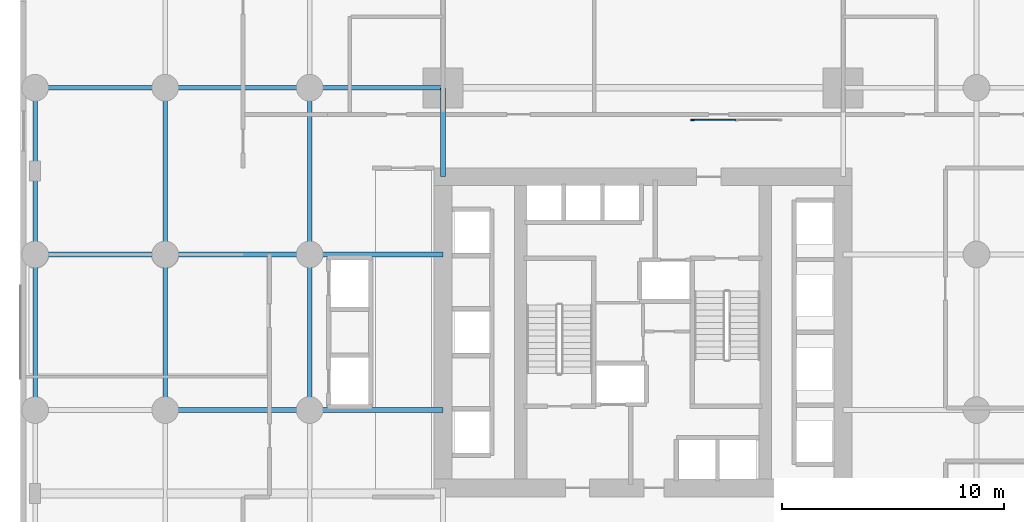
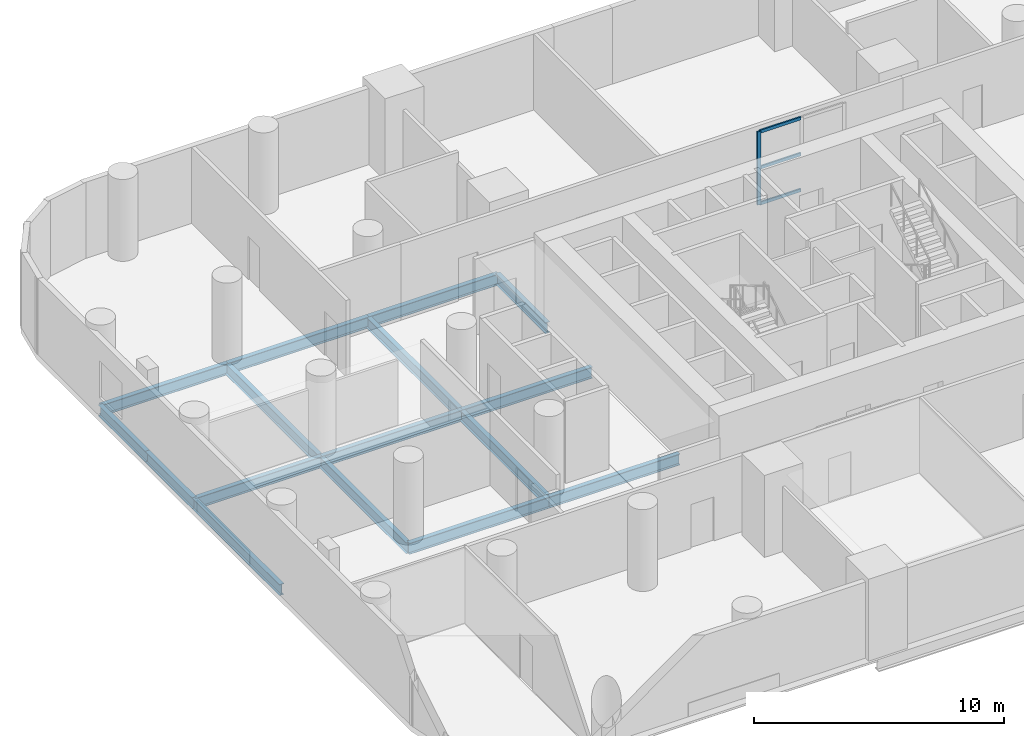
# One storey, part 3 of 12: 16 beams, 4 members, 1 element without a shape of its own.
"""IFC4 building model written with IfcOpenShell, lengths in metres."""

from ifc_helpers import new_model, si_unit, direction, frame, origin, origin_2d, place, context, subcontext, project, spatial, rectangle, i_section, extrude, material, material_profile, profile_set, type_object, element, aggregate, save


model = new_model("IFC4")

# Units and contexts
model_context = context("Model", 3, precision=1e-05, world=origin(), true_north=direction((0.0, 1.0)))
body_context = subcontext(model_context, "Body", "Model", "MODEL_VIEW")
ifc_project = project(units=[si_unit("LENGTHUNIT", "METRE"), si_unit("AREAUNIT", "SQUARE_METRE"), si_unit("VOLUMEUNIT", "CUBIC_METRE"), si_unit("PLANEANGLEUNIT", "RADIAN"), si_unit("MASSUNIT", "GRAM", prefix="KILO")], contexts=[model_context])

# Site, building, storey
site_placement = place(None, origin())
site = spatial("IfcSite", under=ifc_project, at=site_placement, CompositionType="ELEMENT")
building_placement = place(site_placement, origin())
building = spatial("IfcBuilding", under=site, at=building_placement, Name="Veldorim Arch Residences", CompositionType="ELEMENT")
storey_placement = place(building_placement, frame((0.0, 0.0, 12.0)))
storey = spatial("IfcBuildingStorey", under=building, at=storey_placement, Name="L03", CompositionType="ELEMENT", Elevation=12.0)

# Curtain wall, members
ifc_material_1 = material(Name="Aluminium", Category="aluminium")
curtain_wall_type = type_object("IfcCurtainWallType", Name="Crown Faceted Fritted Laminated Curtain Wall", PredefinedType="NOTDEFINED", material=ifc_material_1)
curtain_wall_placement = place(storey_placement, origin())
curtain_wall = element("IfcCurtainWall", 1, at=curtain_wall_placement, inside=storey, type_object=curtain_wall_type, Name="L03 N arch bridge clerestory curtain wall", PredefinedType="NOTDEFINED")
ifc_material_2 = material(Name="Aluminium", Category="aluminium")
ifc_material_profile_1 = material_profile(ifc_material_2, rectangle(XDim=0.070068359375, YDim=0.169921875, at=origin_2d()), Name="ALU_MUL_70x170")
ifc_profile_set_1 = profile_set([ifc_material_profile_1], Name="Aluminium")
member_type_1 = type_object("IfcMemberType", Name="Crown Faceted Fritted Laminated Curtain Wall Mullion 70x170", PredefinedType="MULLION", material=ifc_profile_set_1)
member_1_placement = place(storey_placement, frame((34.235107421875, 33.550048828125, 0.0), z_axis=(0.0, 0.0, 1.0), x_axis=(0.0, 1.0, 0.0)))
member_1 = element("IfcMember", 2, at=member_1_placement, type_object=member_type_1, Name="CW-CRN mullion 1", PredefinedType="MULLION", context=body_context, shape_type="SweptSolid", body=[
    extrude(rectangle(XDim=0.070068359375, YDim=0.169921875, at=origin_2d()), origin(), (0.0, 0.0, 1.0), 3.580078125),
])
ifc_material_3 = material(Name="Aluminium", Category="aluminium")
ifc_material_profile_2 = material_profile(ifc_material_3, rectangle(XDim=0.070068359375, YDim=0.14990234375, at=origin_2d()), Name="ALU_TRN_70x150")
ifc_profile_set_2 = profile_set([ifc_material_profile_2], Name="Aluminium")
member_type_2 = type_object("IfcMemberType", Name="Crown Faceted Fritted Laminated Curtain Wall Transom 70x150", PredefinedType="USERDEFINED", material=ifc_profile_set_2)
member_2_placement = place(storey_placement, frame((34.27001953125, 33.550048828125, 0.034912109375), z_axis=(1.0, 0.0, 0.0), x_axis=(0.0, 1.0, 0.0)))
member_2 = element("IfcMember", 3, at=member_2_placement, type_object=member_type_2, Name="CW-CRN transom 1.1", ObjectType="TRANSOM", PredefinedType="USERDEFINED", context=body_context, shape_type="SweptSolid", body=[
    extrude(rectangle(XDim=0.070068359375, YDim=0.14990234375, at=origin_2d()), origin(), (0.0, 0.0, 1.0), 1.89501953125),
])
member_3_placement = place(storey_placement, frame((34.27001953125, 33.550048828125, 1.7900390625), z_axis=(1.0, 0.0, 0.0), x_axis=(0.0, 1.0, 0.0)))
member_3 = element("IfcMember", 4, at=member_3_placement, type_object=member_type_2, Name="CW-CRN transom 1.2", ObjectType="TRANSOM", PredefinedType="USERDEFINED", context=body_context, shape_type="SweptSolid", body=[
    extrude(rectangle(XDim=0.070068359375, YDim=0.14990234375, at=origin_2d()), origin(), (0.0, 0.0, 1.0), 1.89501953125),
])
member_4_placement = place(storey_placement, frame((34.27001953125, 33.550048828125, 3.544921875), z_axis=(1.0, 0.0, 0.0), x_axis=(0.0, 1.0, 0.0)))
member_4 = element("IfcMember", 5, at=member_4_placement, type_object=member_type_2, Name="CW-CRN transom 1.3", ObjectType="TRANSOM", PredefinedType="USERDEFINED", context=body_context, shape_type="SweptSolid", body=[
    extrude(rectangle(XDim=0.070068359375, YDim=0.14990234375, at=origin_2d()), origin(), (0.0, 0.0, 1.0), 1.89501953125),
])
aggregate(curtain_wall, [member_1, member_2, member_3, member_4])

# Beams
ifc_material_4 = material(Name="Steel S355", Category="steel")
ifc_material_profile_3 = material_profile(ifc_material_4, i_section(OverallWidth=0.2099609375, OverallDepth=0.53662109375, WebThickness=0.0107421875, FlangeThickness=0.017333984375, at=origin_2d()), Name="UB533x210x101")
ifc_profile_set_3 = profile_set([ifc_material_profile_3], Name="Steel S355")
beam_type_1 = type_object("IfcBeamType", Name="Structural Steel Beam UB533x210x101", PredefinedType="BEAM", material=ifc_profile_set_3)
beam_1_placement = place(storey_placement, frame((4.64990234375, 20.5, -0.54833984375), z_axis=(0.0, 1.0, 0.0), x_axis=(-1.0, 0.0, 0.0)))
element("IfcBeam", 6, at=beam_1_placement, inside=storey, type_object=beam_type_1, Name="L03 north-south floor beam (X=4.7, 20.5-27.5)", PredefinedType="BEAM", context=body_context, shape_type="SweptSolid", body=[
    extrude(i_section(OverallWidth=0.2099609375, OverallDepth=0.53662109375, WebThickness=0.0107421875, FlangeThickness=0.017333984375, at=origin_2d()), origin(), (0.0, 0.0, 1.0), 7.0),
])
for number, where, z_axis, x_axis, name in (
    (7, (4.64990234375, 27.5, -0.54833984375), (0.0, 1.0, 0.0), (-1.0, 0.0, 0.0), "L03 north-south floor beam (X=4.7, 27.5-31.2)"),
    (8, (4.64990234375, 31.25, -0.54833984375), (0.0, 1.0, 0.0), (-1.0, 0.0, 0.0), "L03 north-south floor beam (X=4.7, 31.2-35.0)"),
):
    element("IfcBeam", number, at=place(storey_placement, frame(where, z_axis=z_axis, x_axis=x_axis)), inside=storey, type_object=beam_type_1, Name=name, PredefinedType="BEAM", context=body_context, shape_type="SweptSolid", body=[
        extrude(i_section(OverallWidth=0.2099609375, OverallDepth=0.53662109375, WebThickness=0.0107421875, FlangeThickness=0.017333984375, at=origin_2d()), origin(), (0.0, 0.0, 1.0), 3.75),
    ])
beam_2_placement = place(storey_placement, frame((10.5, 20.5, -0.54833984375), z_axis=(0.0, 1.0, 0.0), x_axis=(-1.0, 0.0, 0.0)))
element("IfcBeam", 9, at=beam_2_placement, inside=storey, type_object=beam_type_1, Name="L03 north-south floor beam (X=10.5, 20.5-27.5)", PredefinedType="BEAM", context=body_context, shape_type="SweptSolid", body=[
    extrude(i_section(OverallWidth=0.2099609375, OverallDepth=0.53662109375, WebThickness=0.0107421875, FlangeThickness=0.017333984375, at=origin_2d()), origin(), (0.0, 0.0, 1.0), 7.0),
])
beam_3_placement = place(storey_placement, frame((10.5, 27.5, -0.54833984375), z_axis=(0.0, 1.0, 0.0), x_axis=(-1.0, 0.0, 0.0)))
element("IfcBeam", 10, at=beam_3_placement, inside=storey, type_object=beam_type_1, Name="L03 north-south floor beam (X=10.5, 27.5-35.0)", PredefinedType="BEAM", context=body_context, shape_type="SweptSolid", body=[
    extrude(i_section(OverallWidth=0.2099609375, OverallDepth=0.53662109375, WebThickness=0.0107421875, FlangeThickness=0.017333984375, at=origin_2d()), origin(), (0.0, 0.0, 1.0), 7.5),
])
beam_4_placement = place(storey_placement, frame((17.0, 20.5, -0.54833984375), z_axis=(0.0, 1.0, 0.0), x_axis=(-1.0, 0.0, 0.0)))
element("IfcBeam", 11, at=beam_4_placement, inside=storey, type_object=beam_type_1, Name="L03 north-south floor beam (X=17.0, 20.5-27.5)", PredefinedType="BEAM", context=body_context, shape_type="SweptSolid", body=[
    extrude(i_section(OverallWidth=0.2099609375, OverallDepth=0.53662109375, WebThickness=0.0107421875, FlangeThickness=0.017333984375, at=origin_2d()), origin(), (0.0, 0.0, 1.0), 7.0),
])
beam_5_placement = place(storey_placement, frame((17.0, 27.5, -0.54833984375), z_axis=(0.0, 1.0, 0.0), x_axis=(-1.0, 0.0, 0.0)))
element("IfcBeam", 12, at=beam_5_placement, inside=storey, type_object=beam_type_1, Name="L03 north-south floor beam (X=17.0, 27.5-35.0)", PredefinedType="BEAM", context=body_context, shape_type="SweptSolid", body=[
    extrude(i_section(OverallWidth=0.2099609375, OverallDepth=0.53662109375, WebThickness=0.0107421875, FlangeThickness=0.017333984375, at=origin_2d()), origin(), (0.0, 0.0, 1.0), 7.5),
])
beam_6_placement = place(storey_placement, frame((23.0, 31.0, -0.54833984375), z_axis=(0.0, 1.0, 0.0), x_axis=(-1.0, 0.0, 0.0)))
element("IfcBeam", 13, at=beam_6_placement, inside=storey, type_object=beam_type_1, Name="L03 north-south floor beam (X=23.0, 31.0-35.0)", PredefinedType="BEAM", context=body_context, shape_type="SweptSolid", body=[
    extrude(i_section(OverallWidth=0.2099609375, OverallDepth=0.53662109375, WebThickness=0.0107421875, FlangeThickness=0.017333984375, at=origin_2d()), origin(), (0.0, 0.0, 1.0), 4.0),
])
ifc_material_5 = material(Name="Steel S355", Category="steel")
ifc_material_profile_4 = material_profile(ifc_material_5, i_section(OverallWidth=0.2119140625, OverallDepth=0.54443359375, WebThickness=0.0126953125, FlangeThickness=0.021240234375, at=origin_2d()), Name="UB533x210x122")
ifc_profile_set_4 = profile_set([ifc_material_profile_4], Name="Steel S355")
beam_type_2 = type_object("IfcBeamType", Name="Structural Steel Beam UB533x210x122", PredefinedType="BEAM", material=ifc_profile_set_4)
beam_7_placement = place(storey_placement, frame((10.5, 20.5, -0.55224609375), z_axis=(1.0, 0.0, 0.0), x_axis=(0.0, 1.0, 0.0)))
element("IfcBeam", 14, at=beam_7_placement, inside=storey, type_object=beam_type_2, Name="L03 east-west floor beam (10.5-17.0, Y=20.5)", PredefinedType="BEAM", context=body_context, shape_type="SweptSolid", body=[
    extrude(i_section(OverallWidth=0.2119140625, OverallDepth=0.54443359375, WebThickness=0.0126953125, FlangeThickness=0.021240234375, at=origin_2d()), origin(), (0.0, 0.0, 1.0), 6.5),
])
beam_8_placement = place(storey_placement, frame((17.0, 20.5, -0.55224609375), z_axis=(1.0, 0.0, 0.0), x_axis=(0.0, 1.0, 0.0)))
element("IfcBeam", 15, at=beam_8_placement, inside=storey, type_object=beam_type_2, Name="L03 east-west floor beam (17.0-23.0, Y=20.5)", PredefinedType="BEAM", context=body_context, shape_type="SweptSolid", body=[
    extrude(i_section(OverallWidth=0.2119140625, OverallDepth=0.54443359375, WebThickness=0.0126953125, FlangeThickness=0.021240234375, at=origin_2d()), origin(), (0.0, 0.0, 1.0), 6.0),
])
beam_9_placement = place(storey_placement, frame((4.64990234375, 27.5, -0.55224609375), z_axis=(1.0, 0.0, 0.0), x_axis=(0.0, 1.0, 0.0)))
element("IfcBeam", 16, at=beam_9_placement, inside=storey, type_object=beam_type_2, Name="L03 east-west floor beam (4.7-10.5, Y=27.5)", PredefinedType="BEAM", context=body_context, shape_type="SweptSolid", body=[
    extrude(i_section(OverallWidth=0.2119140625, OverallDepth=0.54443359375, WebThickness=0.0126953125, FlangeThickness=0.021240234375, at=origin_2d()), origin(), (0.0, 0.0, 1.0), 5.85009765625),
])
beam_10_placement = place(storey_placement, frame((10.5, 27.5, -0.55224609375), z_axis=(1.0, 0.0, 0.0), x_axis=(0.0, 1.0, 0.0)))
element("IfcBeam", 17, at=beam_10_placement, inside=storey, type_object=beam_type_2, Name="L03 east-west floor beam (10.5-17.0, Y=27.5)", PredefinedType="BEAM", context=body_context, shape_type="SweptSolid", body=[
    extrude(i_section(OverallWidth=0.2119140625, OverallDepth=0.54443359375, WebThickness=0.0126953125, FlangeThickness=0.021240234375, at=origin_2d()), origin(), (0.0, 0.0, 1.0), 6.5),
])
beam_11_placement = place(storey_placement, frame((17.0, 27.5, -0.55224609375), z_axis=(1.0, 0.0, 0.0), x_axis=(0.0, 1.0, 0.0)))
element("IfcBeam", 18, at=beam_11_placement, inside=storey, type_object=beam_type_2, Name="L03 east-west floor beam (17.0-23.0, Y=27.5)", PredefinedType="BEAM", context=body_context, shape_type="SweptSolid", body=[
    extrude(i_section(OverallWidth=0.2119140625, OverallDepth=0.54443359375, WebThickness=0.0126953125, FlangeThickness=0.021240234375, at=origin_2d()), origin(), (0.0, 0.0, 1.0), 6.0),
])
beam_12_placement = place(storey_placement, frame((4.64990234375, 35.0, -0.55224609375), z_axis=(1.0, 0.0, 0.0), x_axis=(0.0, 1.0, 0.0)))
element("IfcBeam", 19, at=beam_12_placement, inside=storey, type_object=beam_type_2, Name="L03 east-west floor beam (4.7-10.5, Y=35.0)", PredefinedType="BEAM", context=body_context, shape_type="SweptSolid", body=[
    extrude(i_section(OverallWidth=0.2119140625, OverallDepth=0.54443359375, WebThickness=0.0126953125, FlangeThickness=0.021240234375, at=origin_2d()), origin(), (0.0, 0.0, 1.0), 5.85009765625),
])
beam_13_placement = place(storey_placement, frame((10.5, 35.0, -0.55224609375), z_axis=(1.0, 0.0, 0.0), x_axis=(0.0, 1.0, 0.0)))
element("IfcBeam", 20, at=beam_13_placement, inside=storey, type_object=beam_type_2, Name="L03 east-west floor beam (10.5-17.0, Y=35.0)", PredefinedType="BEAM", context=body_context, shape_type="SweptSolid", body=[
    extrude(i_section(OverallWidth=0.2119140625, OverallDepth=0.54443359375, WebThickness=0.0126953125, FlangeThickness=0.021240234375, at=origin_2d()), origin(), (0.0, 0.0, 1.0), 6.5),
])
beam_14_placement = place(storey_placement, frame((17.0, 35.0, -0.55224609375), z_axis=(1.0, 0.0, 0.0), x_axis=(0.0, 1.0, 0.0)))
element("IfcBeam", 21, at=beam_14_placement, inside=storey, type_object=beam_type_2, Name="L03 east-west floor beam (17.0-23.0, Y=35.0)", PredefinedType="BEAM", context=body_context, shape_type="SweptSolid", body=[
    extrude(i_section(OverallWidth=0.2119140625, OverallDepth=0.54443359375, WebThickness=0.0126953125, FlangeThickness=0.021240234375, at=origin_2d()), origin(), (0.0, 0.0, 1.0), 6.0),
])

save(model, "model.ifc")
